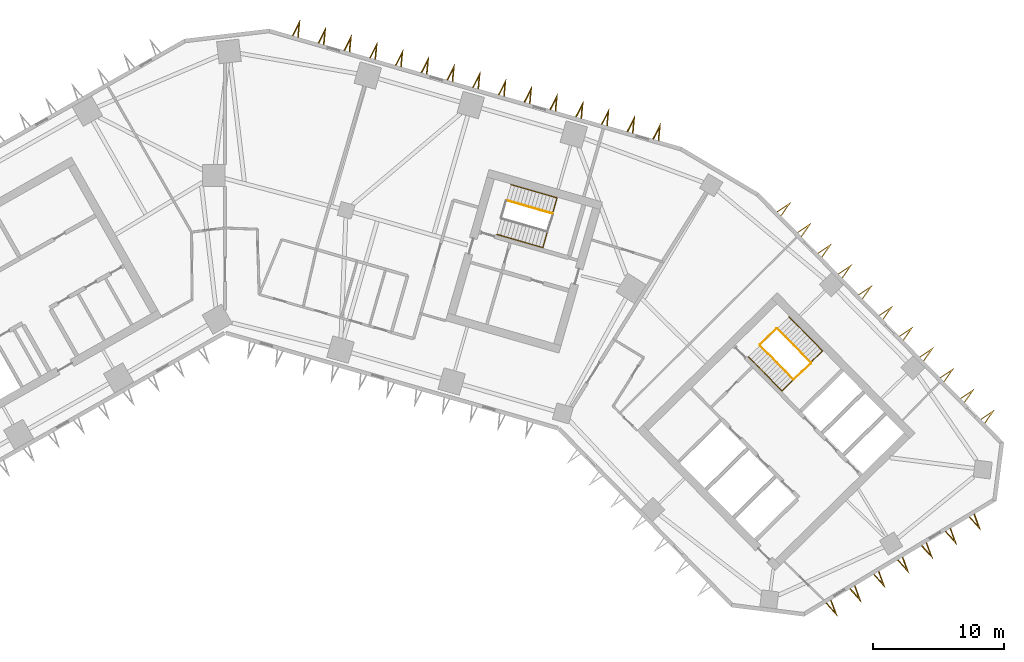
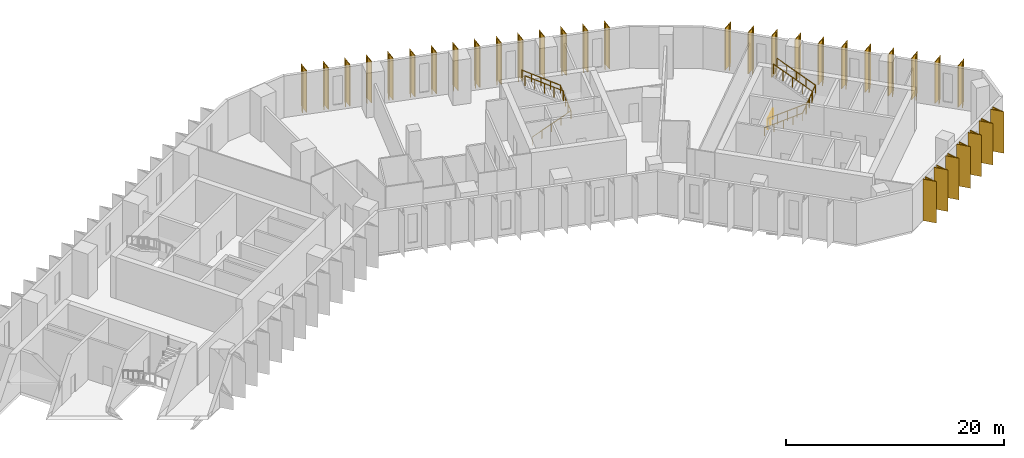
# One storey, part 11 of 11: 33 shading devices, 6 railings.
"""IFC4 building model written with IfcOpenShell, lengths in metres."""

from ifc_helpers import new_model, si_unit, direction, frame, origin, origin_2d, place, context, subcontext, project, spatial, polyline, circle, outline, extrude, material, type_object, element, save


model = new_model("IFC4")

# Units and contexts
model_context = context("Model", 3, precision=1e-05, world=origin(), true_north=direction((0.0, 1.0)))
body_context = subcontext(model_context, "Body", "Model", "MODEL_VIEW")
ifc_project = project(units=[si_unit("LENGTHUNIT", "METRE"), si_unit("AREAUNIT", "SQUARE_METRE"), si_unit("VOLUMEUNIT", "CUBIC_METRE"), si_unit("PLANEANGLEUNIT", "RADIAN"), si_unit("MASSUNIT", "GRAM", prefix="KILO")], contexts=[model_context])

# Site, building, storey
site_placement = place(None, origin())
site = spatial("IfcSite", under=ifc_project, at=site_placement, CompositionType="ELEMENT")
building_placement = place(site_placement, origin())
building = spatial("IfcBuilding", under=site, at=building_placement, Name="Binnacle Exchange Tower", CompositionType="ELEMENT")
storey_placement = place(building_placement, frame((0.0, 0.0, 86.5)))
storey = spatial("IfcBuildingStorey", under=building, at=storey_placement, Name="L17", CompositionType="ELEMENT", Elevation=86.5)

# Railings
ifc_material_1 = material(Name="Steel guard rail", Category="steel")
railing_type_1 = type_object("IfcRailingType", Name="STAIR GUARD 1100", PredefinedType="GUARDRAIL", material=ifc_material_1)
railing_1_placement = place(storey_placement, frame((40.822509765625, 47.046875, 0.178466796875)))
element("IfcRailing", 1, at=railing_1_placement, inside=storey, type_object=railing_type_1, Name="L17 STB1 stair guard 1", PredefinedType="GUARDRAIL", context=body_context, shape_type="SweptSolid", body=[
    extrude(circle(Radius=0.02392578125, at=origin_2d()), frame((0.0, 0.0, 1.076171875), z_axis=(0.590946962671, -0.60135215321, 0.537733461056), x_axis=(0.713250539553, 0.700909172309, 0.0)), (0.0, 0.0, 1.0), 4.317138671875),
    extrude(circle(Radius=0.02392578125, at=origin_2d()), frame((2.55126953125, -2.59619140625, 3.3974609375), z_axis=(0.732527851538, 0.680737061369, 0.0), x_axis=(-0.680737061369, 0.732527851538, 0.0)), (0.0, 0.0, 1.0), 1.80078125),
    extrude(circle(Radius=0.02099609375, at=origin_2d()), origin(), (0.0, 0.0, 1.0), 1.052001953125),
    extrude(circle(Radius=0.02099609375, at=origin_2d()), frame((0.6376953125, -0.64892578125, 0.580322265625)), (0.0, 0.0, 1.0), 1.052001953125),
    extrude(circle(Radius=0.02099609375, at=origin_2d()), frame((1.275634765625, -1.298095703125, 1.16064453125)), (0.0, 0.0, 1.0), 1.052001953125),
    extrude(circle(Radius=0.02099609375, at=origin_2d()), frame((1.91357421875, -1.947265625, 1.7412109375)), (0.0, 0.0, 1.0), 1.052001953125),
    extrude(circle(Radius=0.02099609375, at=origin_2d()), frame((2.55126953125, -2.59619140625, 2.321533203125)), (0.0, 0.0, 1.0), 1.052001953125),
    extrude(circle(Radius=0.02099609375, at=origin_2d()), frame((3.2109375, -1.9833984375, 2.321533203125)), (0.0, 0.0, 1.0), 1.052001953125),
    extrude(circle(Radius=0.02099609375, at=origin_2d()), frame((3.870361328125, -1.370361328125, 2.321533203125)), (0.0, 0.0, 1.0), 1.052001953125),
])
railing_2_placement = place(storey_placement, frame((44.693359375, 45.747314453125, 2.678466796875)))
element("IfcRailing", 2, at=railing_2_placement, inside=storey, type_object=railing_type_1, Name="L17 STB1 stair guard 2", PredefinedType="GUARDRAIL", context=body_context, shape_type="SweptSolid", body=[
    extrude(circle(Radius=0.02392578125, at=origin_2d()), frame((0.0, 0.0, 1.076171875), z_axis=(-0.590946962671, 0.60135215321, 0.537733461056), x_axis=(-0.713250539553, -0.700909172309, 0.0)), (0.0, 0.0, 1.0), 4.317138671875),
    extrude(circle(Radius=0.02099609375, at=origin_2d()), origin(), (0.0, 0.0, 1.0), 1.052001953125),
    extrude(circle(Radius=0.02099609375, at=origin_2d()), frame((-0.6376953125, 0.64892578125, 0.580322265625)), (0.0, 0.0, 1.0), 1.052001953125),
    extrude(circle(Radius=0.02099609375, at=origin_2d()), frame((-1.275634765625, 1.298095703125, 1.16064453125)), (0.0, 0.0, 1.0), 1.052001953125),
    extrude(circle(Radius=0.02099609375, at=origin_2d()), frame((-1.91357421875, 1.947265625, 1.7412109375)), (0.0, 0.0, 1.0), 1.052001953125),
    extrude(circle(Radius=0.02099609375, at=origin_2d()), frame((-2.55126953125, 2.59619140625, 2.321533203125)), (0.0, 0.0, 1.0), 1.052001953125),
])
railing_3_placement = place(storey_placement, frame((40.8232421875, 47.117431640625, 0.0)))
element("IfcRailing", 3, at=railing_3_placement, inside=storey, type_object=railing_type_1, Name="L17 STB1 stair guard 3", PredefinedType="GUARDRAIL", context=body_context, shape_type="SweptSolid", body=[
    extrude(circle(Radius=0.02392578125, at=origin_2d()), frame((0.0, 0.0, 1.076171875), z_axis=(0.713218950569, 0.700941316052, 0.0), x_axis=(-0.700941316052, 0.713218950569, 0.0)), (0.0, 0.0, 1.0), 1.75),
    extrude(circle(Radius=0.02099609375, at=origin_2d()), origin(), (0.0, 0.0, 1.0), 1.052001953125),
    extrude(circle(Radius=0.02099609375, at=origin_2d()), frame((0.6240234375, 0.61328125, 0.0)), (0.0, 0.0, 1.0), 1.052001953125),
    extrude(circle(Radius=0.02099609375, at=origin_2d()), frame((1.248046875, 1.2265625, 0.0)), (0.0, 0.0, 1.0), 1.052001953125),
])
railing_4_placement = place(storey_placement, frame((24.9853515625, 57.100830078125, 2.678466796875)))
element("IfcRailing", 4, at=railing_4_placement, inside=storey, type_object=railing_type_1, Name="L17 STD1 stair guard 2", PredefinedType="GUARDRAIL", context=body_context, shape_type="SweptSolid", body=[
    extrude(circle(Radius=0.02392578125, at=origin_2d()), frame((0.0, 0.0, 1.076171875), z_axis=(-0.810455892038, 0.232415135102, 0.537721537635), x_axis=(-0.275659984683, -0.961255206927, 0.0)), (0.0, 0.0, 1.0), 4.3173828125),
    extrude(circle(Radius=0.02099609375, at=origin_2d()), origin(), (0.0, 0.0, 1.0), 1.052001953125),
    extrude(circle(Radius=0.02099609375, at=origin_2d()), frame((-0.874755859375, 0.2509765625, 0.580322265625)), (0.0, 0.0, 1.0), 1.052001953125),
    extrude(circle(Radius=0.02099609375, at=origin_2d()), frame((-1.74951171875, 0.501708984375, 1.16064453125)), (0.0, 0.0, 1.0), 1.052001953125),
    extrude(circle(Radius=0.02099609375, at=origin_2d()), frame((-2.624267578125, 0.75244140625, 1.7412109375)), (0.0, 0.0, 1.0), 1.052001953125),
    extrude(circle(Radius=0.02099609375, at=origin_2d()), frame((-3.4990234375, 1.00341796875, 2.321533203125)), (0.0, 0.0, 1.0), 1.052001953125),
])
ifc_material_2 = material(Name="Steel handrail", Category="steel")
railing_type_2 = type_object("IfcRailingType", Name="STAIR HANDRAIL 900", PredefinedType="HANDRAIL", material=ifc_material_2)
railing_5_placement = place(storey_placement, frame((39.930908203125, 46.170654296875, 0.178466796875)))
element("IfcRailing", 5, at=railing_5_placement, inside=storey, type_object=railing_type_2, Name="L17 STB1 stair handrail 1", PredefinedType="HANDRAIL", context=body_context, shape_type="SweptSolid", body=[
    extrude(circle(Radius=0.02392578125, at=origin_2d()), frame((0.0, 0.0, 0.8759765625), z_axis=(0.590983762497, -0.601332057257, 0.53771549111), x_axis=(0.713217009097, 0.700943291525, 0.0)), (0.0, 0.0, 1.0), 4.3173828125),
    extrude(circle(Radius=0.02392578125, at=origin_2d()), frame((2.551513671875, -2.59619140625, 3.197265625), z_axis=(0.712654164256, 0.700316745611, 0.040993877406), x_axis=(-0.700905928746, 0.713253726978, 0.0)), (0.0, 0.0, 1.0), 4.353515625),
    extrude(circle(Radius=0.02392578125, at=origin_2d()), frame((5.654052734375, 0.45263671875, 3.3759765625), z_axis=(-0.590926866753, 0.601388251475, 0.537715174732), x_axis=(-0.713283488215, -0.700875641922, 0.0)), (0.0, 0.0, 1.0), 4.3173828125),
    extrude(circle(Radius=0.02099609375, at=origin_2d()), origin(), (0.0, 0.0, 1.0), 0.851806640625),
    extrude(circle(Radius=0.02099609375, at=origin_2d()), frame((0.637939453125, -0.64892578125, 0.580322265625)), (0.0, 0.0, 1.0), 0.851806640625),
    extrude(circle(Radius=0.02099609375, at=origin_2d()), frame((1.27587890625, -1.298095703125, 1.16064453125)), (0.0, 0.0, 1.0), 0.851806640625),
    extrude(circle(Radius=0.02099609375, at=origin_2d()), frame((1.91357421875, -1.947265625, 1.7412109375)), (0.0, 0.0, 1.0), 0.851806640625),
    extrude(circle(Radius=0.02099609375, at=origin_2d()), frame((2.551513671875, -2.59619140625, 2.321533203125)), (0.0, 0.0, 1.0), 0.851806640625),
    extrude(circle(Radius=0.02099609375, at=origin_2d()), frame((3.3271484375, -1.833984375, 2.3662109375)), (0.0, 0.0, 1.0), 0.851806640625),
    extrude(circle(Radius=0.02099609375, at=origin_2d()), frame((4.102783203125, -1.07177734375, 2.41064453125)), (0.0, 0.0, 1.0), 0.851806640625),
    extrude(circle(Radius=0.02099609375, at=origin_2d()), frame((4.87841796875, -0.3095703125, 2.455322265625)), (0.0, 0.0, 1.0), 0.851806640625),
    extrude(circle(Radius=0.02099609375, at=origin_2d()), frame((5.654052734375, 0.45263671875, 2.5)), (0.0, 0.0, 1.0), 0.851806640625),
    extrude(circle(Radius=0.02099609375, at=origin_2d()), frame((5.01611328125, 1.101806640625, 3.080322265625)), (0.0, 0.0, 1.0), 0.851806640625),
    extrude(circle(Radius=0.02099609375, at=origin_2d()), frame((4.37841796875, 1.7509765625, 3.66064453125)), (0.0, 0.0, 1.0), 0.851806640625),
    extrude(circle(Radius=0.02099609375, at=origin_2d()), frame((3.74072265625, 2.39990234375, 4.2412109375)), (0.0, 0.0, 1.0), 0.851806640625),
    extrude(circle(Radius=0.02099609375, at=origin_2d()), frame((3.102783203125, 3.049072265625, 4.821533203125)), (0.0, 0.0, 1.0), 0.851806640625),
])
railing_6_placement = place(storey_placement, frame((20.7421875, 55.5087890625, 0.178466796875)))
element("IfcRailing", 6, at=railing_6_placement, inside=storey, type_object=railing_type_2, Name="L17 STD1 stair handrail 1", PredefinedType="HANDRAIL", context=body_context, shape_type="SweptSolid", body=[
    extrude(circle(Radius=0.02392578125, at=origin_2d()), frame((0.0, 0.0, 0.8759765625), z_axis=(0.810436485383, -0.2324257871, 0.537746182368), x_axis=(0.27567775811, 0.961250109848, 0.0)), (0.0, 0.0, 1.0), 4.317138671875),
    extrude(circle(Radius=0.02392578125, at=origin_2d()), frame((3.498779296875, -1.00341796875, 3.197265625), z_axis=(0.275370676617, 0.960278056821, 0.045133624351), x_axis=(-0.961257617982, 0.275651576943, 0.0)), (0.0, 0.0, 1.0), 3.9541015625),
    extrude(circle(Radius=0.02392578125, at=origin_2d()), frame((4.587646484375, 2.793701171875, 3.3759765625), z_axis=(-0.810466542589, 0.232361639932, 0.537728604067), x_axis=(-0.275598008994, -0.961272977587, 0.0)), (0.0, 0.0, 1.0), 4.3173828125),
    extrude(circle(Radius=0.02099609375, at=origin_2d()), origin(), (0.0, 0.0, 1.0), 0.851806640625),
    extrude(circle(Radius=0.02099609375, at=origin_2d()), frame((0.874755859375, -0.2509765625, 0.580322265625)), (0.0, 0.0, 1.0), 0.851806640625),
    extrude(circle(Radius=0.02099609375, at=origin_2d()), frame((1.74951171875, -0.501708984375, 1.16064453125)), (0.0, 0.0, 1.0), 0.851806640625),
    extrude(circle(Radius=0.02099609375, at=origin_2d()), frame((2.6240234375, -0.75244140625, 1.7412109375)), (0.0, 0.0, 1.0), 0.851806640625),
    extrude(circle(Radius=0.02099609375, at=origin_2d()), frame((3.498779296875, -1.00341796875, 2.321533203125)), (0.0, 0.0, 1.0), 0.851806640625),
    extrude(circle(Radius=0.02099609375, at=origin_2d()), frame((3.77099609375, -0.05419921875, 2.3662109375)), (0.0, 0.0, 1.0), 0.851806640625),
    extrude(circle(Radius=0.02099609375, at=origin_2d()), frame((4.043212890625, 0.89501953125, 2.41064453125)), (0.0, 0.0, 1.0), 0.851806640625),
    extrude(circle(Radius=0.02099609375, at=origin_2d()), frame((4.3154296875, 1.844482421875, 2.455322265625)), (0.0, 0.0, 1.0), 0.851806640625),
    extrude(circle(Radius=0.02099609375, at=origin_2d()), frame((4.587646484375, 2.793701171875, 2.5)), (0.0, 0.0, 1.0), 0.851806640625),
    extrude(circle(Radius=0.02099609375, at=origin_2d()), frame((3.712890625, 3.04443359375, 3.080322265625)), (0.0, 0.0, 1.0), 0.851806640625),
    extrude(circle(Radius=0.02099609375, at=origin_2d()), frame((2.838134765625, 3.29541015625, 3.66064453125)), (0.0, 0.0, 1.0), 0.851806640625),
    extrude(circle(Radius=0.02099609375, at=origin_2d()), frame((1.96337890625, 3.546142578125, 4.2412109375)), (0.0, 0.0, 1.0), 0.851806640625),
    extrude(circle(Radius=0.02099609375, at=origin_2d()), frame((1.088623046875, 3.796875, 4.821533203125)), (0.0, 0.0, 1.0), 0.851806640625),
])

# Shading devices
ifc_material_3 = material(Name="Bronze aluminium cladding", Category="aluminium")
shading_device_type = type_object("IfcShadingDeviceType", Name="V FIN 1300 DEEP x 4650 HIGH", PredefinedType="USERDEFINED", material=ifc_material_3)
shading_device_1_placement = place(storey_placement, origin())
element("IfcShadingDevice", 7, at=shading_device_1_placement, inside=storey, type_object=shading_device_type, Name="V fin FN-F01-01 L17", ObjectType="FIN", PredefinedType="USERDEFINED", context=body_context, shape_type="SweptSolid", body=[
    extrude(outline(polyline([(33.107421875, 62.66259765625), (33.225341796875, 63.981201171875), (32.626708984375, 62.800537109375), (32.705078125, 62.778076171875), (33.108642578125, 63.573974609375), (33.029052734375, 62.68505859375), (33.107421875, 62.66259765625)])), origin(), (0.0, 0.0, 1.0), 4.64990234375),
])
shading_device_2_placement = place(storey_placement, origin())
element("IfcShadingDevice", 8, at=shading_device_2_placement, inside=storey, type_object=shading_device_type, Name="V fin FN-F01-02 L17", ObjectType="FIN", PredefinedType="USERDEFINED", context=body_context, shape_type="SweptSolid", body=[
    extrude(outline(polyline([(31.143310546875, 63.225830078125), (31.26123046875, 64.54443359375), (30.66259765625, 63.36376953125), (30.740966796875, 63.34130859375), (31.14453125, 64.13720703125), (31.06494140625, 63.248291015625), (31.143310546875, 63.225830078125)])), origin(), (0.0, 0.0, 1.0), 4.64990234375),
])
shading_device_3_placement = place(storey_placement, origin())
element("IfcShadingDevice", 9, at=shading_device_3_placement, inside=storey, type_object=shading_device_type, Name="V fin FN-F01-03 L17", ObjectType="FIN", PredefinedType="USERDEFINED", context=body_context, shape_type="SweptSolid", body=[
    extrude(outline(polyline([(29.17919921875, 63.7890625), (29.297119140625, 65.107666015625), (28.698486328125, 63.927001953125), (28.77685546875, 63.904541015625), (29.180419921875, 64.700439453125), (29.100830078125, 63.8115234375), (29.17919921875, 63.7890625)])), origin(), (0.0, 0.0, 1.0), 4.64990234375),
])
shading_device_4_placement = place(storey_placement, origin())
element("IfcShadingDevice", 10, at=shading_device_4_placement, inside=storey, type_object=shading_device_type, Name="V fin FN-F01-04 L17", ObjectType="FIN", PredefinedType="USERDEFINED", context=body_context, shape_type="SweptSolid", body=[
    extrude(outline(polyline([(27.215087890625, 64.352294921875), (27.3330078125, 65.6708984375), (26.734619140625, 64.489990234375), (26.812744140625, 64.4677734375), (27.21630859375, 65.263671875), (27.13671875, 64.374755859375), (27.215087890625, 64.352294921875)])), origin(), (0.0, 0.0, 1.0), 4.64990234375),
])
shading_device_5_placement = place(storey_placement, origin())
element("IfcShadingDevice", 11, at=shading_device_5_placement, inside=storey, type_object=shading_device_type, Name="V fin FN-F01-05 L17", ObjectType="FIN", PredefinedType="USERDEFINED", context=body_context, shape_type="SweptSolid", body=[
    extrude(outline(polyline([(25.2509765625, 64.91552734375), (25.368896484375, 66.23388671875), (24.7705078125, 65.05322265625), (24.8486328125, 65.031005859375), (25.252197265625, 65.826904296875), (25.172607421875, 64.93798828125), (25.2509765625, 64.91552734375)])), origin(), (0.0, 0.0, 1.0), 4.64990234375),
])
shading_device_6_placement = place(storey_placement, origin())
element("IfcShadingDevice", 12, at=shading_device_6_placement, inside=storey, type_object=shading_device_type, Name="V fin FN-F01-06 L17", ObjectType="FIN", PredefinedType="USERDEFINED", context=body_context, shape_type="SweptSolid", body=[
    extrude(outline(polyline([(23.287109375, 65.478515625), (23.405029296875, 66.797119140625), (22.806396484375, 65.616455078125), (22.884765625, 65.593994140625), (23.288330078125, 66.389892578125), (23.208740234375, 65.5009765625), (23.287109375, 65.478515625)])), origin(), (0.0, 0.0, 1.0), 4.64990234375),
])
shading_device_7_placement = place(storey_placement, origin())
element("IfcShadingDevice", 13, at=shading_device_7_placement, inside=storey, type_object=shading_device_type, Name="V fin FN-F01-07 L17", ObjectType="FIN", PredefinedType="USERDEFINED", context=body_context, shape_type="SweptSolid", body=[
    extrude(outline(polyline([(21.32275390625, 66.041748046875), (21.44091796875, 67.3603515625), (20.84228515625, 66.1796875), (20.92041015625, 66.1572265625), (21.32421875, 66.953125), (21.244384765625, 66.064208984375), (21.32275390625, 66.041748046875)])), origin(), (0.0, 0.0, 1.0), 4.64990234375),
])
shading_device_8_placement = place(storey_placement, origin())
element("IfcShadingDevice", 14, at=shading_device_8_placement, inside=storey, type_object=shading_device_type, Name="V fin FN-F01-08 L17", ObjectType="FIN", PredefinedType="USERDEFINED", context=body_context, shape_type="SweptSolid", body=[
    extrude(outline(polyline([(19.35888671875, 66.60498046875), (19.476806640625, 67.923583984375), (18.878173828125, 66.742919921875), (18.95654296875, 66.720458984375), (19.360107421875, 67.516357421875), (19.280517578125, 66.62744140625), (19.35888671875, 66.60498046875)])), origin(), (0.0, 0.0, 1.0), 4.64990234375),
])
shading_device_9_placement = place(storey_placement, origin())
element("IfcShadingDevice", 15, at=shading_device_9_placement, inside=storey, type_object=shading_device_type, Name="V fin FN-F01-09 L17", ObjectType="FIN", PredefinedType="USERDEFINED", context=body_context, shape_type="SweptSolid", body=[
    extrude(outline(polyline([(17.394775390625, 67.168212890625), (17.5126953125, 68.48681640625), (16.9140625, 67.305908203125), (16.992431640625, 67.28369140625), (17.39599609375, 68.07958984375), (17.31640625, 67.190673828125), (17.394775390625, 67.168212890625)])), origin(), (0.0, 0.0, 1.0), 4.64990234375),
])
shading_device_10_placement = place(storey_placement, origin())
element("IfcShadingDevice", 16, at=shading_device_10_placement, inside=storey, type_object=shading_device_type, Name="V fin FN-F01-10 L17", ObjectType="FIN", PredefinedType="USERDEFINED", context=body_context, shape_type="SweptSolid", body=[
    extrude(outline(polyline([(15.4306640625, 67.7314453125), (15.548583984375, 69.0498046875), (14.949951171875, 67.869140625), (15.0283203125, 67.8466796875), (15.431884765625, 68.642578125), (15.352294921875, 67.75390625), (15.4306640625, 67.7314453125)])), origin(), (0.0, 0.0, 1.0), 4.64990234375),
])
shading_device_11_placement = place(storey_placement, origin())
element("IfcShadingDevice", 17, at=shading_device_11_placement, inside=storey, type_object=shading_device_type, Name="V fin FN-F01-11 L17", ObjectType="FIN", PredefinedType="USERDEFINED", context=body_context, shape_type="SweptSolid", body=[
    extrude(outline(polyline([(13.466552734375, 68.294677734375), (13.58447265625, 69.613037109375), (12.98583984375, 68.432373046875), (13.064208984375, 68.409912109375), (13.4677734375, 69.205810546875), (13.38818359375, 68.31689453125), (13.466552734375, 68.294677734375)])), origin(), (0.0, 0.0, 1.0), 4.64990234375),
])
shading_device_12_placement = place(storey_placement, origin())
element("IfcShadingDevice", 18, at=shading_device_12_placement, inside=storey, type_object=shading_device_type, Name="V fin FN-F01-12 L17", ObjectType="FIN", PredefinedType="USERDEFINED", context=body_context, shape_type="SweptSolid", body=[
    extrude(outline(polyline([(11.50244140625, 68.85791015625), (11.620361328125, 70.17626953125), (11.021728515625, 68.99560546875), (11.10009765625, 68.97314453125), (11.503662109375, 69.76904296875), (11.424072265625, 68.880126953125), (11.50244140625, 68.85791015625)])), origin(), (0.0, 0.0, 1.0), 4.64990234375),
])
shading_device_13_placement = place(storey_placement, origin())
element("IfcShadingDevice", 19, at=shading_device_13_placement, inside=storey, type_object=shading_device_type, Name="V fin FN-F01-13 L17", ObjectType="FIN", PredefinedType="USERDEFINED", context=body_context, shape_type="SweptSolid", body=[
    extrude(outline(polyline([(9.538330078125, 69.4208984375), (9.65625, 70.739501953125), (9.0576171875, 69.558837890625), (9.135986328125, 69.536376953125), (9.53955078125, 70.332275390625), (9.4599609375, 69.443359375), (9.538330078125, 69.4208984375)])), origin(), (0.0, 0.0, 1.0), 4.64990234375),
])
shading_device_14_placement = place(storey_placement, origin())
element("IfcShadingDevice", 20, at=shading_device_14_placement, inside=storey, type_object=shading_device_type, Name="V fin FN-F01-14 L17", ObjectType="FIN", PredefinedType="USERDEFINED", context=body_context, shape_type="SweptSolid", body=[
    extrude(outline(polyline([(7.57421875, 69.984130859375), (7.6923828125, 71.302734375), (7.09375, 70.1220703125), (7.172119140625, 70.099609375), (7.57568359375, 70.8955078125), (7.49609375, 70.006591796875), (7.57421875, 69.984130859375)])), origin(), (0.0, 0.0, 1.0), 4.64990234375),
])
shading_device_15_placement = place(storey_placement, origin())
element("IfcShadingDevice", 21, at=shading_device_15_placement, inside=storey, type_object=shading_device_type, Name="V fin FN-F01-15 L17", ObjectType="FIN", PredefinedType="USERDEFINED", context=body_context, shape_type="SweptSolid", body=[
    extrude(outline(polyline([(5.610107421875, 70.54736328125), (5.72802734375, 71.865966796875), (5.12939453125, 70.685302734375), (5.207763671875, 70.662841796875), (5.611328125, 71.458740234375), (5.53173828125, 70.56982421875), (5.610107421875, 70.54736328125)])), origin(), (0.0, 0.0, 1.0), 4.64990234375),
])
shading_device_16_placement = place(storey_placement, origin())
element("IfcShadingDevice", 22, at=shading_device_16_placement, inside=storey, type_object=shading_device_type, Name="V fin FN-F11-01 L17", ObjectType="FIN", PredefinedType="USERDEFINED", context=body_context, shape_type="SweptSolid", body=[
    extrude(outline(polyline([(45.82861328125, 27.361572265625), (46.71240234375, 26.376220703125), (46.257080078125, 27.619140625), (46.187255859375, 27.5771484375), (46.494140625, 26.7392578125), (45.898193359375, 27.403564453125), (45.82861328125, 27.361572265625)])), origin(), (0.0, 0.0, 1.0), 4.64990234375),
])
shading_device_17_placement = place(storey_placement, origin())
element("IfcShadingDevice", 23, at=shading_device_17_placement, inside=storey, type_object=shading_device_type, Name="V fin FN-F11-02 L17", ObjectType="FIN", PredefinedType="USERDEFINED", context=body_context, shape_type="SweptSolid", body=[
    extrude(outline(polyline([(47.64990234375, 28.4560546875), (48.53369140625, 27.470458984375), (48.07861328125, 28.713623046875), (48.0087890625, 28.671630859375), (48.315673828125, 27.83349609375), (47.7197265625, 28.498046875), (47.64990234375, 28.4560546875)])), origin(), (0.0, 0.0, 1.0), 4.64990234375),
])
shading_device_18_placement = place(storey_placement, origin())
element("IfcShadingDevice", 24, at=shading_device_18_placement, inside=storey, type_object=shading_device_type, Name="V fin FN-F11-03 L17", ObjectType="FIN", PredefinedType="USERDEFINED", context=body_context, shape_type="SweptSolid", body=[
    extrude(outline(polyline([(49.471435546875, 29.550537109375), (50.355224609375, 28.56494140625), (49.900146484375, 29.80810546875), (49.830322265625, 29.76611328125), (50.13720703125, 28.927978515625), (49.541259765625, 29.592529296875), (49.471435546875, 29.550537109375)])), origin(), (0.0, 0.0, 1.0), 4.64990234375),
])
shading_device_19_placement = place(storey_placement, origin())
element("IfcShadingDevice", 25, at=shading_device_19_placement, inside=storey, type_object=shading_device_type, Name="V fin FN-F11-04 L17", ObjectType="FIN", PredefinedType="USERDEFINED", context=body_context, shape_type="SweptSolid", body=[
    extrude(outline(polyline([(51.29296875, 30.64501953125), (52.1767578125, 29.659423828125), (51.7216796875, 30.902587890625), (51.65185546875, 30.860595703125), (51.958740234375, 30.0224609375), (51.36279296875, 30.68701171875), (51.29296875, 30.64501953125)])), origin(), (0.0, 0.0, 1.0), 4.64990234375),
])
shading_device_20_placement = place(storey_placement, origin())
element("IfcShadingDevice", 26, at=shading_device_20_placement, inside=storey, type_object=shading_device_type, Name="V fin FN-F11-05 L17", ObjectType="FIN", PredefinedType="USERDEFINED", context=body_context, shape_type="SweptSolid", body=[
    extrude(outline(polyline([(53.114501953125, 31.739501953125), (53.998291015625, 30.75390625), (53.543212890625, 31.9970703125), (53.473388671875, 31.955078125), (53.7802734375, 31.116943359375), (53.184326171875, 31.781494140625), (53.114501953125, 31.739501953125)])), origin(), (0.0, 0.0, 1.0), 4.64990234375),
])
shading_device_21_placement = place(storey_placement, origin())
element("IfcShadingDevice", 27, at=shading_device_21_placement, inside=storey, type_object=shading_device_type, Name="V fin FN-F11-06 L17", ObjectType="FIN", PredefinedType="USERDEFINED", context=body_context, shape_type="SweptSolid", body=[
    extrude(outline(polyline([(54.935791015625, 32.833984375), (55.819580078125, 31.848388671875), (55.364501953125, 33.091552734375), (55.294677734375, 33.049560546875), (55.6015625, 32.21142578125), (55.005615234375, 32.8759765625), (54.935791015625, 32.833984375)])), origin(), (0.0, 0.0, 1.0), 4.64990234375),
])
shading_device_22_placement = place(storey_placement, origin())
element("IfcShadingDevice", 28, at=shading_device_22_placement, inside=storey, type_object=shading_device_type, Name="V fin FN-F11-07 L17", ObjectType="FIN", PredefinedType="USERDEFINED", context=body_context, shape_type="SweptSolid", body=[
    extrude(outline(polyline([(56.75732421875, 33.92822265625), (57.64111328125, 32.94287109375), (57.18603515625, 34.185791015625), (57.1162109375, 34.143798828125), (57.423095703125, 33.305908203125), (56.8271484375, 33.97021484375), (56.75732421875, 33.92822265625)])), origin(), (0.0, 0.0, 1.0), 4.64990234375),
])
shading_device_23_placement = place(storey_placement, origin())
element("IfcShadingDevice", 29, at=shading_device_23_placement, inside=storey, type_object=shading_device_type, Name="V fin FN-F13-01 L17", ObjectType="FIN", PredefinedType="USERDEFINED", context=body_context, shape_type="SweptSolid", body=[
    extrude(outline(polyline([(57.990478515625, 41.087890625), (58.742431640625, 42.177490234375), (57.64013671875, 41.444580078125), (57.697265625, 41.386474609375), (58.4404296875, 41.880615234375), (57.933349609375, 41.14599609375), (57.990478515625, 41.087890625)])), origin(), (0.0, 0.0, 1.0), 4.64990234375),
])
shading_device_24_placement = place(storey_placement, origin())
element("IfcShadingDevice", 30, at=shading_device_24_placement, inside=storey, type_object=shading_device_type, Name="V fin FN-F13-02 L17", ObjectType="FIN", PredefinedType="USERDEFINED", context=body_context, shape_type="SweptSolid", body=[
    extrude(outline(polyline([(56.435791015625, 42.669921875), (57.18798828125, 43.759521484375), (56.08544921875, 43.026611328125), (56.142578125, 42.968505859375), (56.8857421875, 43.46240234375), (56.37890625, 42.72802734375), (56.435791015625, 42.669921875)])), origin(), (0.0, 0.0, 1.0), 4.64990234375),
])
shading_device_25_placement = place(storey_placement, origin())
element("IfcShadingDevice", 31, at=shading_device_25_placement, inside=storey, type_object=shading_device_type, Name="V fin FN-F13-03 L17", ObjectType="FIN", PredefinedType="USERDEFINED", context=body_context, shape_type="SweptSolid", body=[
    extrude(outline(polyline([(54.881103515625, 44.251953125), (55.63330078125, 45.34130859375), (54.53076171875, 44.6083984375), (54.587890625, 44.55029296875), (55.3310546875, 45.04443359375), (54.82421875, 44.31005859375), (54.881103515625, 44.251953125)])), origin(), (0.0, 0.0, 1.0), 4.64990234375),
])
shading_device_26_placement = place(storey_placement, origin())
element("IfcShadingDevice", 32, at=shading_device_26_placement, inside=storey, type_object=shading_device_type, Name="V fin FN-F13-04 L17", ObjectType="FIN", PredefinedType="USERDEFINED", context=body_context, shape_type="SweptSolid", body=[
    extrude(outline(polyline([(53.32666015625, 45.833984375), (54.07861328125, 46.92333984375), (52.976318359375, 46.1904296875), (53.033203125, 46.13232421875), (53.776611328125, 46.62646484375), (53.26953125, 45.89208984375), (53.32666015625, 45.833984375)])), origin(), (0.0, 0.0, 1.0), 4.64990234375),
])
shading_device_27_placement = place(storey_placement, origin())
element("IfcShadingDevice", 33, at=shading_device_27_placement, inside=storey, type_object=shading_device_type, Name="V fin FN-F13-05 L17", ObjectType="FIN", PredefinedType="USERDEFINED", context=body_context, shape_type="SweptSolid", body=[
    extrude(outline(polyline([(51.77197265625, 47.416015625), (52.52392578125, 48.50537109375), (51.421630859375, 47.7724609375), (51.478759765625, 47.71435546875), (52.221923828125, 48.20849609375), (51.71484375, 47.47412109375), (51.77197265625, 47.416015625)])), origin(), (0.0, 0.0, 1.0), 4.64990234375),
])
shading_device_28_placement = place(storey_placement, origin())
element("IfcShadingDevice", 34, at=shading_device_28_placement, inside=storey, type_object=shading_device_type, Name="V fin FN-F13-06 L17", ObjectType="FIN", PredefinedType="USERDEFINED", context=body_context, shape_type="SweptSolid", body=[
    extrude(outline(polyline([(50.21728515625, 48.997802734375), (50.969482421875, 50.08740234375), (49.866943359375, 49.3544921875), (49.924072265625, 49.29638671875), (50.667236328125, 49.79052734375), (50.160400390625, 49.055908203125), (50.21728515625, 48.997802734375)])), origin(), (0.0, 0.0, 1.0), 4.64990234375),
])
shading_device_29_placement = place(storey_placement, origin())
element("IfcShadingDevice", 35, at=shading_device_29_placement, inside=storey, type_object=shading_device_type, Name="V fin FN-F13-07 L17", ObjectType="FIN", PredefinedType="USERDEFINED", context=body_context, shape_type="SweptSolid", body=[
    extrude(outline(polyline([(48.66259765625, 50.579833984375), (49.414794921875, 51.66943359375), (48.312255859375, 50.9365234375), (48.369384765625, 50.87841796875), (49.112548828125, 51.37255859375), (48.605712890625, 50.637939453125), (48.66259765625, 50.579833984375)])), origin(), (0.0, 0.0, 1.0), 4.64990234375),
])
shading_device_30_placement = place(storey_placement, origin())
element("IfcShadingDevice", 36, at=shading_device_30_placement, inside=storey, type_object=shading_device_type, Name="V fin FN-F13-08 L17", ObjectType="FIN", PredefinedType="USERDEFINED", context=body_context, shape_type="SweptSolid", body=[
    extrude(outline(polyline([(47.108154296875, 52.161865234375), (47.860107421875, 53.25146484375), (46.7578125, 52.5185546875), (46.814697265625, 52.46044921875), (47.55810546875, 52.95458984375), (47.051025390625, 52.219970703125), (47.108154296875, 52.161865234375)])), origin(), (0.0, 0.0, 1.0), 4.64990234375),
])
shading_device_31_placement = place(storey_placement, origin())
element("IfcShadingDevice", 37, at=shading_device_31_placement, inside=storey, type_object=shading_device_type, Name="V fin FN-F13-09 L17", ObjectType="FIN", PredefinedType="USERDEFINED", context=body_context, shape_type="SweptSolid", body=[
    extrude(outline(polyline([(45.553466796875, 53.743896484375), (46.305419921875, 54.83349609375), (45.203125, 54.1005859375), (45.26025390625, 54.04248046875), (46.00341796875, 54.53662109375), (45.496337890625, 53.802001953125), (45.553466796875, 53.743896484375)])), origin(), (0.0, 0.0, 1.0), 4.64990234375),
])
shading_device_32_placement = place(storey_placement, origin())
element("IfcShadingDevice", 38, at=shading_device_32_placement, inside=storey, type_object=shading_device_type, Name="V fin FN-F13-10 L17", ObjectType="FIN", PredefinedType="USERDEFINED", context=body_context, shape_type="SweptSolid", body=[
    extrude(outline(polyline([(43.998779296875, 55.325927734375), (44.7509765625, 56.415283203125), (43.6484375, 55.6826171875), (43.70556640625, 55.62451171875), (44.44873046875, 56.118408203125), (43.94189453125, 55.384033203125), (43.998779296875, 55.325927734375)])), origin(), (0.0, 0.0, 1.0), 4.64990234375),
])
shading_device_33_placement = place(storey_placement, origin())
element("IfcShadingDevice", 39, at=shading_device_33_placement, inside=storey, type_object=shading_device_type, Name="V fin FN-F13-11 L17", ObjectType="FIN", PredefinedType="USERDEFINED", context=body_context, shape_type="SweptSolid", body=[
    extrude(outline(polyline([(42.444091796875, 56.907958984375), (43.1962890625, 57.997314453125), (42.09375, 57.264404296875), (42.15087890625, 57.206298828125), (42.89404296875, 57.700439453125), (42.38720703125, 56.966064453125), (42.444091796875, 56.907958984375)])), origin(), (0.0, 0.0, 1.0), 4.64990234375),
])

save(model, "model.ifc")
